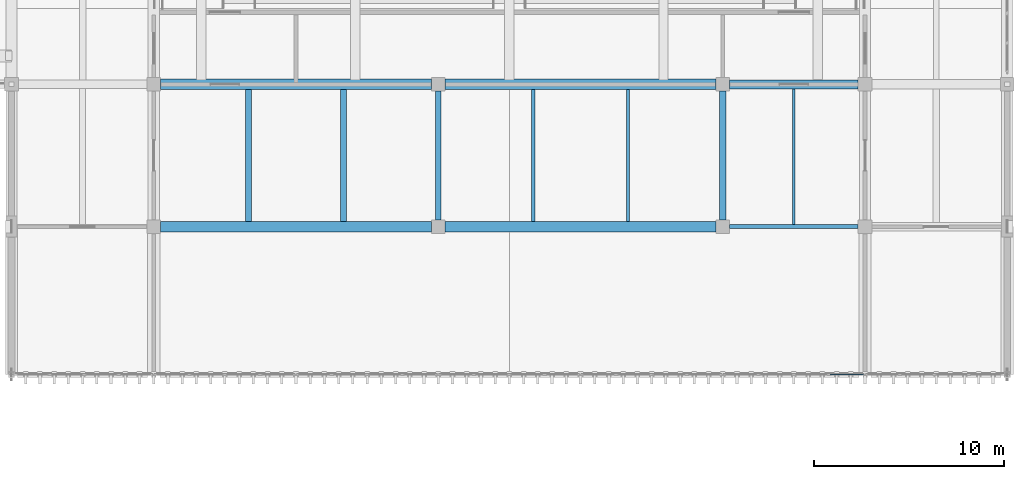
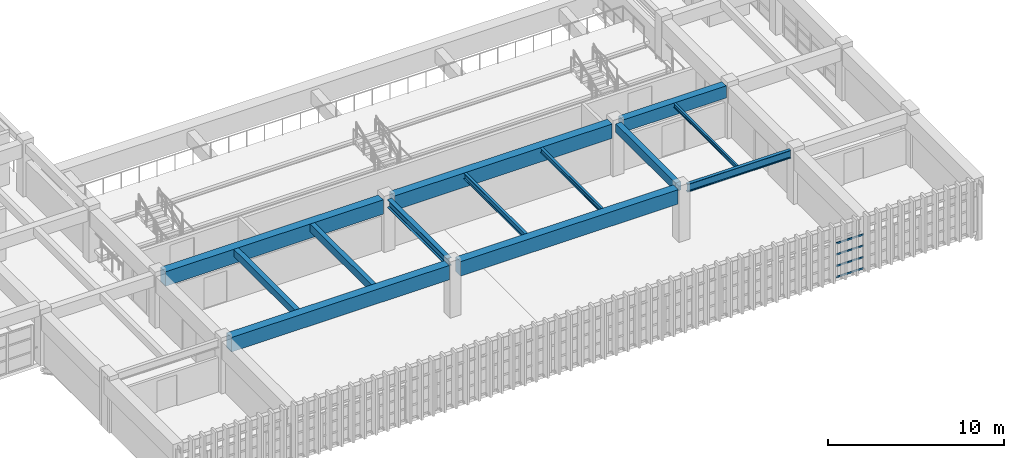
# One storey, part 44 of 101: 13 beams, 4 members, 1 element without a shape of its own.
"""IFC4 building model written with IfcOpenShell, lengths in metres."""

from ifc_helpers import new_model, si_unit, direction, frame, origin, origin_2d, place, context, subcontext, project, spatial, rectangle, hollow_rectangle, i_section, extrude, material, material_profile, profile_set, type_object, element, aggregate, save


model = new_model("IFC4")

# Units and contexts
model_context = context("Model", 3, precision=1e-05, world=origin(), true_north=direction((0.0, 1.0)))
body_context = subcontext(model_context, "Body", "Model", "MODEL_VIEW")
ifc_project = project(units=[si_unit("LENGTHUNIT", "METRE"), si_unit("AREAUNIT", "SQUARE_METRE"), si_unit("VOLUMEUNIT", "CUBIC_METRE"), si_unit("PLANEANGLEUNIT", "RADIAN"), si_unit("MASSUNIT", "GRAM", prefix="KILO")], contexts=[model_context])

# Site, building, storey
site_placement = place(None, origin())
site = spatial("IfcSite", under=ifc_project, at=site_placement, CompositionType="ELEMENT")
building_placement = place(site_placement, origin())
building = spatial("IfcBuilding", under=site, at=building_placement, Name="Qasida Concert Hall", CompositionType="ELEMENT")
storey_placement = place(building_placement, frame((0.0, 0.0, 13.199951171875)))
storey = spatial("IfcBuildingStorey", under=building, at=storey_placement, Name="L03", CompositionType="ELEMENT", Elevation=13.199951171875)

# Beams
ifc_material_1 = material(Name="Steel S355J2", Category="steel")
ifc_material_profile_1 = material_profile(ifc_material_1, i_section(OverallWidth=0.300048828125, OverallDepth=0.550048828125, WebThickness=0.014892578125, FlangeThickness=0.029052734375, FilletRadius=0.027099609375, at=origin_2d()), Name="HEB 550")
ifc_profile_set_1 = profile_set([ifc_material_profile_1], Name="Steel S355J2")
beam_type_1 = type_object("IfcBeamType", Name="BM-B12", PredefinedType="BEAM", material=ifc_profile_set_1)
beam_1_placement = place(storey_placement, frame((75.0, 22.860107421875, 3.344970703125), z_axis=(0.0, 1.0, 0.0), x_axis=(-1.0, 0.0, 0.0)))
element("IfcBeam", 1, at=beam_1_placement, inside=storey, type_object=beam_type_1, Name="L03 girder 1557", PredefinedType="BEAM", context=body_context, shape_type="SweptSolid", body=[
    extrude(i_section(OverallWidth=0.300048828125, OverallDepth=0.550048828125, WebThickness=0.014892578125, FlangeThickness=0.029052734375, FilletRadius=0.027099609375, at=origin_2d()), origin(), (0.0, 0.0, 1.0), 6.77978515625),
])
ifc_material_2 = material(Name="Concrete C40/50", Category="concrete")
ifc_material_profile_2 = material_profile(ifc_material_2, rectangle(XDim=0.35009765625, YDim=0.60009765625, at=origin_2d()), Name="RC 350x600")
ifc_profile_set_2 = profile_set([ifc_material_profile_2], Name="Concrete C40/50")
beam_type_2 = type_object("IfcBeamType", Name="BM-B2", PredefinedType="BEAM", material=ifc_profile_set_2)
beam_2_placement = place(storey_placement, frame((90.0, 22.860107421875, 3.320068359375), z_axis=(0.0, 1.0, 0.0), x_axis=(-1.0, 0.0, 0.0)))
element("IfcBeam", 2, at=beam_2_placement, inside=storey, type_object=beam_type_2, Name="L03 girder 1560", PredefinedType="BEAM", context=body_context, shape_type="SweptSolid", body=[
    extrude(rectangle(XDim=0.35009765625, YDim=0.60009765625, at=origin_2d()), origin(), (0.0, 0.0, 1.0), 6.77978515625),
])
ifc_material_profile_3 = material_profile(ifc_material_2, rectangle(XDim=0.550048828125, YDim=1.0, at=origin_2d()), Name="RC 550x1000")
ifc_profile_set_3 = profile_set([ifc_material_profile_3], Name="Concrete C40/50")
beam_type_3 = type_object("IfcBeamType", Name="BM-G3", PredefinedType="USERDEFINED", material=ifc_profile_set_3)
for number, where, z_axis, x_axis, name in (
    (3, (60.360107421875, 22.5, 3.1201171875), (1.0, 0.0, 0.0), (0.0, 1.0, 0.0), "Primary girder 1511"),
    (4, (75.360107421875, 22.5, 3.1201171875), (1.0, 0.0, 0.0), (0.0, 1.0, 0.0), "Primary girder 1512"),
    (5, (60.360107421875, 30.0, 3.1201171875), (1.0, 0.0, 0.0), (0.0, 1.0, 0.0), "Primary girder 1516"),
    (6, (75.360107421875, 30.0, 3.1201171875), (1.0, 0.0, 0.0), (0.0, 1.0, 0.0), "Primary girder 1517"),
):
    element("IfcBeam", number, at=place(storey_placement, frame(where, z_axis=z_axis, x_axis=x_axis)), inside=storey, type_object=beam_type_3, Name=name, ObjectType="GIRDER", PredefinedType="USERDEFINED", context=body_context, shape_type="SweptSolid", body=[
        extrude(rectangle(XDim=0.550048828125, YDim=1.0, at=origin_2d()), origin(), (0.0, 0.0, 1.0), 14.27978515625),
    ])
ifc_material_profile_4 = material_profile(ifc_material_2, rectangle(XDim=0.47998046875, YDim=0.85009765625, at=origin_2d()), Name="RC 480x850")
ifc_profile_set_4 = profile_set([ifc_material_profile_4], Name="Concrete C40/50")
beam_type_4 = type_object("IfcBeamType", Name="BM-G6", PredefinedType="USERDEFINED", material=ifc_profile_set_4)
beam_3_placement = place(storey_placement, frame((90.360107421875, 30.0, 3.195068359375), z_axis=(1.0, 0.0, 0.0), x_axis=(0.0, 1.0, 0.0)))
element("IfcBeam", 7, at=beam_3_placement, inside=storey, type_object=beam_type_4, Name="Primary girder 1518", ObjectType="GIRDER", PredefinedType="USERDEFINED", context=body_context, shape_type="SweptSolid", body=[
    extrude(rectangle(XDim=0.47998046875, YDim=0.85009765625, at=origin_2d()), origin(), (0.0, 0.0, 1.0), 6.77978515625),
])
ifc_material_profile_5 = material_profile(ifc_material_2, rectangle(XDim=0.300048828125, YDim=0.550048828125, at=origin_2d()), Name="RC 300x550")
ifc_profile_set_5 = profile_set([ifc_material_profile_5], Name="Concrete C40/50")
beam_type_5 = type_object("IfcBeamType", Name="BM-J1", PredefinedType="JOIST", material=ifc_profile_set_5)
beam_4_placement = place(storey_placement, frame((70.0, 22.77490234375, 3.344970703125), z_axis=(0.0, 1.0, 0.0), x_axis=(-1.0, 0.0, 0.0)))
element("IfcBeam", 8, at=beam_4_placement, inside=storey, type_object=beam_type_5, Name="L03 secondary joist 1583", PredefinedType="JOIST", context=body_context, shape_type="SweptSolid", body=[
    extrude(rectangle(XDim=0.300048828125, YDim=0.550048828125, at=origin_2d()), origin(), (0.0, 0.0, 1.0), 6.9501953125),
])
ifc_material_profile_6 = material_profile(ifc_material_1, i_section(OverallWidth=0.179931640625, OverallDepth=0.39990234375, WebThickness=0.008544921875, FlangeThickness=0.013427734375, FilletRadius=0.02099609375, at=origin_2d()), Name="IPE 400")
ifc_profile_set_6 = profile_set([ifc_material_profile_6], Name="Steel S355J2")
beam_type_6 = type_object("IfcBeamType", Name="BM-J3", PredefinedType="JOIST", material=ifc_profile_set_6)
beam_5_placement = place(storey_placement, frame((80.0, 22.77490234375, 3.420166015625), z_axis=(0.0, 1.0, 0.0), x_axis=(-1.0, 0.0, 0.0)))
element("IfcBeam", 9, at=beam_5_placement, inside=storey, type_object=beam_type_6, Name="L03 secondary joist 1586", PredefinedType="JOIST", context=body_context, shape_type="SweptSolid", body=[
    extrude(i_section(OverallWidth=0.179931640625, OverallDepth=0.39990234375, WebThickness=0.008544921875, FlangeThickness=0.013427734375, FilletRadius=0.02099609375, at=origin_2d()), origin(), (0.0, 0.0, 1.0), 6.9501953125),
])
ifc_material_profile_7 = material_profile(ifc_material_1, i_section(OverallWidth=0.159912109375, OverallDepth=0.330078125, WebThickness=0.007568359375, FlangeThickness=0.011474609375, FilletRadius=0.01806640625, at=origin_2d()), Name="IPE 330")
ifc_profile_set_7 = profile_set([ifc_material_profile_7], Name="Steel S355J2")
beam_type_7 = type_object("IfcBeamType", Name="BM-J5", PredefinedType="JOIST", material=ifc_profile_set_7)
beam_6_placement = place(storey_placement, frame((85.0, 22.77490234375, 3.455078125), z_axis=(0.0, 1.0, 0.0), x_axis=(-1.0, 0.0, 0.0)))
element("IfcBeam", 10, at=beam_6_placement, inside=storey, type_object=beam_type_7, Name="L03 secondary joist 1587", PredefinedType="JOIST", context=body_context, shape_type="SweptSolid", body=[
    extrude(i_section(OverallWidth=0.159912109375, OverallDepth=0.330078125, WebThickness=0.007568359375, FlangeThickness=0.011474609375, FilletRadius=0.01806640625, at=origin_2d()), origin(), (0.0, 0.0, 1.0), 6.9501953125),
])
ifc_material_profile_8 = material_profile(ifc_material_1, i_section(OverallWidth=0.135009765625, OverallDepth=0.27001953125, WebThickness=0.006591796875, FlangeThickness=0.01025390625, FilletRadius=0.014892578125, at=origin_2d()), Name="IPE 270")
ifc_profile_set_8 = profile_set([ifc_material_profile_8], Name="Steel S355J2")
beam_type_8 = type_object("IfcBeamType", Name="BM-J6", PredefinedType="JOIST", material=ifc_profile_set_8)
beam_7_placement = place(storey_placement, frame((93.75, 22.60498046875, 3.485107421875), z_axis=(0.0, 1.0, 0.0), x_axis=(-1.0, 0.0, 0.0)))
element("IfcBeam", 11, at=beam_7_placement, inside=storey, type_object=beam_type_8, Name="L03 secondary joist 1589", PredefinedType="JOIST", context=body_context, shape_type="SweptSolid", body=[
    extrude(i_section(OverallWidth=0.135009765625, OverallDepth=0.27001953125, WebThickness=0.006591796875, FlangeThickness=0.01025390625, FilletRadius=0.014892578125, at=origin_2d()), origin(), (0.0, 0.0, 1.0), 7.155029296875),
])
ifc_material_profile_9 = material_profile(ifc_material_2, rectangle(XDim=0.320068359375, YDim=0.5, at=origin_2d()), Name="RC 320x500")
ifc_profile_set_9 = profile_set([ifc_material_profile_9], Name="Concrete C40/50")
beam_type_9 = type_object("IfcBeamType", Name="BM-J7", PredefinedType="JOIST", material=ifc_profile_set_9)
beam_8_placement = place(storey_placement, frame((65.0, 22.77490234375, 3.3701171875), z_axis=(0.0, 1.0, 0.0), x_axis=(-1.0, 0.0, 0.0)))
element("IfcBeam", 12, at=beam_8_placement, inside=storey, type_object=beam_type_9, Name="L03 secondary joist 1582", PredefinedType="JOIST", context=body_context, shape_type="SweptSolid", body=[
    extrude(rectangle(XDim=0.320068359375, YDim=0.5, at=origin_2d()), origin(), (0.0, 0.0, 1.0), 6.9501953125),
])
ifc_material_profile_10 = material_profile(ifc_material_1, i_section(OverallWidth=0.2099609375, OverallDepth=0.550048828125, WebThickness=0.010986328125, FlangeThickness=0.01708984375, FilletRadius=0.02392578125, at=origin_2d()), Name="IPE 550")
ifc_profile_set_10 = profile_set([ifc_material_profile_10], Name="Steel S355J2")
beam_type_10 = type_object("IfcBeamType", Name="BM-SP2", PredefinedType="SPANDREL", material=ifc_profile_set_10)
beam_9_placement = place(storey_placement, frame((90.360107421875, 22.5, 3.344970703125), z_axis=(1.0, 0.0, 0.0), x_axis=(0.0, 1.0, 0.0)))
element("IfcBeam", 13, at=beam_9_placement, inside=storey, type_object=beam_type_10, Name="Primary girder 1513", PredefinedType="SPANDREL", context=body_context, shape_type="SweptSolid", body=[
    extrude(i_section(OverallWidth=0.2099609375, OverallDepth=0.550048828125, WebThickness=0.010986328125, FlangeThickness=0.01708984375, FilletRadius=0.02392578125, at=origin_2d()), origin(), (0.0, 0.0, 1.0), 6.77978515625),
])

# Curtain wall, members
ifc_material_3 = material(Name="Architectural bronze-anodized aluminium and low-E glass", Category="aluminium")
curtain_wall_type = type_object("IfcCurtainWallType", Name="CW-04", PredefinedType="NOTDEFINED", material=ifc_material_3)
curtain_wall_placement = place(storey_placement, origin())
curtain_wall = element("IfcCurtainWall", 14, at=curtain_wall_placement, inside=storey, type_object=curtain_wall_type, Name="L03 curtain wall CW-04 0020", PredefinedType="NOTDEFINED")
ifc_material_4 = material(Name="Architectural bronze-anodized aluminium EN AW-6063", Category="aluminium")
ifc_material_profile_11 = material_profile(ifc_material_4, hollow_rectangle(XDim=0.06005859375, YDim=0.1201171875, WallThickness=0.00390625, InnerFilletRadius=0.00390625, OuterFilletRadius=0.008056640625, at=origin_2d()), Name="CWT 120x60x4")
ifc_profile_set_11 = profile_set([ifc_material_profile_11], Name="Architectural bronze-anodized aluminium EN AW-6063")
member_type = type_object("IfcMemberType", Name="MB-CWT-2", PredefinedType="USERDEFINED", material=ifc_profile_set_11)
member_1_placement = place(storey_placement, frame((95.6474609375, 14.699951171875, 0.030029296875), z_axis=(1.0, 0.0, 0.0), x_axis=(0.0, 1.0, 0.0)))
member_1 = element("IfcMember", 15, at=member_1_placement, type_object=member_type, Name="CW-04 transom 4.1", ObjectType="TRANSOM", PredefinedType="USERDEFINED", context=body_context, shape_type="SweptSolid", body=[
    extrude(hollow_rectangle(XDim=0.06005859375, YDim=0.1201171875, WallThickness=0.00390625, InnerFilletRadius=0.00390625, OuterFilletRadius=0.008056640625, at=origin_2d()), origin(), (0.0, 0.0, 1.0), 1.767578125),
])
member_2_placement = place(storey_placement, frame((95.6474609375, 14.699951171875, 0.796630859375), z_axis=(1.0, 0.0, 0.0), x_axis=(0.0, 1.0, 0.0)))
member_2 = element("IfcMember", 16, at=member_2_placement, type_object=member_type, Name="CW-04 transom 4.2", ObjectType="TRANSOM", PredefinedType="USERDEFINED", context=body_context, shape_type="SweptSolid", body=[
    extrude(hollow_rectangle(XDim=0.06005859375, YDim=0.1201171875, WallThickness=0.00390625, InnerFilletRadius=0.00390625, OuterFilletRadius=0.008056640625, at=origin_2d()), origin(), (0.0, 0.0, 1.0), 1.767578125),
])
member_3_placement = place(storey_placement, frame((95.6474609375, 14.699951171875, 1.59326171875), z_axis=(1.0, 0.0, 0.0), x_axis=(0.0, 1.0, 0.0)))
member_3 = element("IfcMember", 17, at=member_3_placement, type_object=member_type, Name="CW-04 transom 4.3", ObjectType="TRANSOM", PredefinedType="USERDEFINED", context=body_context, shape_type="SweptSolid", body=[
    extrude(hollow_rectangle(XDim=0.06005859375, YDim=0.1201171875, WallThickness=0.00390625, InnerFilletRadius=0.00390625, OuterFilletRadius=0.008056640625, at=origin_2d()), origin(), (0.0, 0.0, 1.0), 1.767578125),
])
member_4_placement = place(storey_placement, frame((95.6474609375, 14.699951171875, 2.360107421875), z_axis=(1.0, 0.0, 0.0), x_axis=(0.0, 1.0, 0.0)))
member_4 = element("IfcMember", 18, at=member_4_placement, type_object=member_type, Name="CW-04 transom 4.4", ObjectType="TRANSOM", PredefinedType="USERDEFINED", context=body_context, shape_type="SweptSolid", body=[
    extrude(hollow_rectangle(XDim=0.06005859375, YDim=0.1201171875, WallThickness=0.00390625, InnerFilletRadius=0.00390625, OuterFilletRadius=0.008056640625, at=origin_2d()), origin(), (0.0, 0.0, 1.0), 1.767578125),
])
aggregate(curtain_wall, [member_1, member_2, member_3, member_4])

save(model, "model.ifc")
